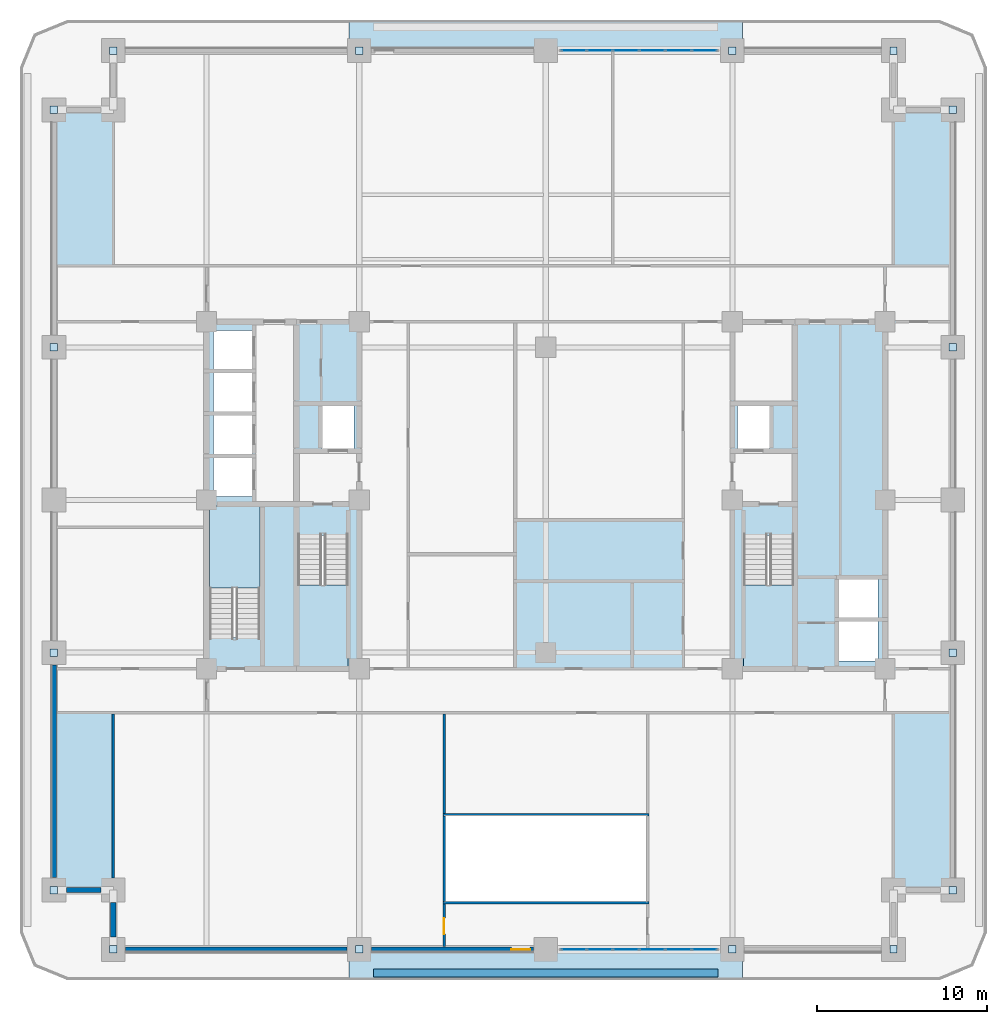
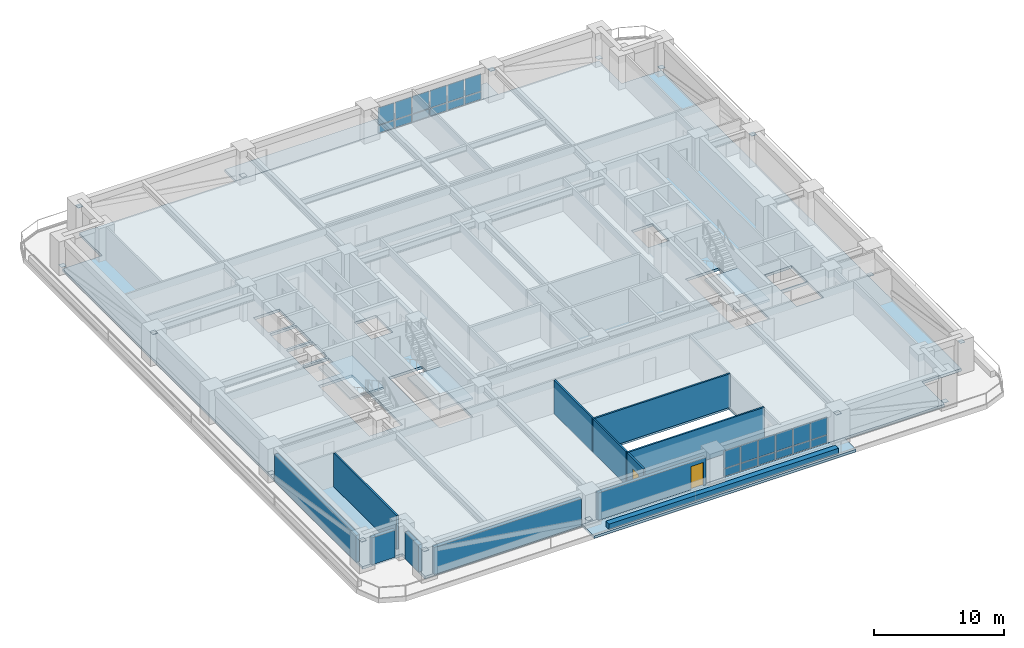
# One storey, part 6 of 18: 40 plates, 12 walls, 6 slabs, 2 doors, 2 openings, 5 elements without a shape of their own.
"""IFC4 building model written with IfcOpenShell, lengths in metres."""

import ifcopenshell
import ifcopenshell.guid

model = None  # the IFC model being written
_history = None  # IfcOwnerHistory: only IFC2X3 demands one
_inside = {}  # id of a spatial element -> (the spatial element, [elements in it])
_under = {}  # id of a project, library or spatial element -> (it, [spatial elements below it])
_declared = {}  # id of a project -> (the project, [libraries it declares])
_typed = {}  # id of a type object -> (the type object, [elements of that type])
_made_of = {}  # id of a material, layer set ... -> (it, [elements and type objects made of it])


def new_model(schema):
    """Start an empty IFC model of exactly this schema.

    Asked for "IFC4X3", IfcOpenShell would pick the latest addendum, in which some entities
    have other attributes; the version numbers below select the first issue.
    IFC2X3 requires an IfcOwnerHistory on every rooted entity: one is made here for all.
    """
    global model, _history
    if schema == "IFC4X3":
        model = ifcopenshell.file(schema_version=(4, 3, 0, 0))
    else:
        model = ifcopenshell.file(schema=schema)
    _inside.clear()
    _under.clear()
    _declared.clear()
    _typed.clear()
    _made_of.clear()
    _history = None
    if model.schema == "IFC2X3":
        org = make("IfcOrganization", Name="unknown")
        user = make(
            "IfcPersonAndOrganization",
            ThePerson=make("IfcPerson", FamilyName="unknown"),
            TheOrganization=org,
        )
        app = make(
            "IfcApplication",
            ApplicationDeveloper=org,
            Version="unknown",
            ApplicationFullName="unknown",
            ApplicationIdentifier="unknown",
        )
        _history = make(
            "IfcOwnerHistory",
            OwningUser=user,
            OwningApplication=app,
            ChangeAction="ADDED",
            CreationDate=0,
        )
    return model


def make(cls, **values):
    """One entity of the class cls with the attributes given. An attribute that is None is left unset."""
    return model.create_entity(
        cls, **{name: value for name, value in values.items() if value is not None}
    )


def rooted(cls, **values):
    """An entity with a GlobalId (a new one), such as an element, a storey or a relation."""
    return make(cls, GlobalId=ifcopenshell.guid.new(), OwnerHistory=_history, **values)


def si_unit(unit_type, name, prefix=None):
    """IfcSIUnit, for example si_unit("LENGTHUNIT", "METRE", prefix="MILLI")."""
    return make("IfcSIUnit", UnitType=unit_type, Prefix=prefix, Name=name)


def assignment(units):
    """IfcUnitAssignment: the units of a project."""
    return None if units is None else make("IfcUnitAssignment", Units=units)


def point(xyz):
    """IfcCartesianPoint."""
    return None if xyz is None else make("IfcCartesianPoint", Coordinates=xyz)


def direction(xyz):
    """IfcDirection."""
    return None if xyz is None else make("IfcDirection", DirectionRatios=xyz)


def frame(location, z_axis=None, x_axis=None):
    """IfcAxis2Placement3D, a coordinate frame: its origin and axes. An axis left out is left unset."""
    return make(
        "IfcAxis2Placement3D",
        Location=point(location),
        Axis=direction(z_axis),
        RefDirection=direction(x_axis),
    )


def frame_2d(location, x_axis=None):
    """IfcAxis2Placement2D, a coordinate frame in the plane: its origin and x axis."""
    return make(
        "IfcAxis2Placement2D", Location=point(location), RefDirection=direction(x_axis)
    )


def origin():
    """The frame at (0, 0, 0) with its axes left unset."""
    return frame((0.0, 0.0, 0.0))


def origin_2d():
    """The frame at (0, 0) in the plane with its x axis left unset."""
    return frame_2d((0.0, 0.0))


def place(relative_to, where):
    """IfcLocalPlacement: puts the frame where relative to a parent placement (None: the world)."""
    return make(
        "IfcLocalPlacement", PlacementRelTo=relative_to, RelativePlacement=where
    )


def context(
    kind, dimensions, precision=None, world=None, true_north=None, identifier=None
):
    """IfcGeometricRepresentationContext, for example the 3D "Model" context."""
    return make(
        "IfcGeometricRepresentationContext",
        ContextIdentifier=identifier,
        ContextType=kind,
        CoordinateSpaceDimension=dimensions,
        Precision=precision,
        WorldCoordinateSystem=world,
        TrueNorth=true_north,
    )


def subcontext(parent, identifier, kind, view, scale=None):
    """IfcGeometricRepresentationSubContext, for example "Body" below "Model"."""
    return make(
        "IfcGeometricRepresentationSubContext",
        ContextIdentifier=identifier,
        ContextType=kind,
        ParentContext=parent,
        TargetScale=scale,
        TargetView=view,
    )


def project(units=None, contexts=None):
    """IfcProject with its units and contexts."""
    return rooted(
        "IfcProject",
        Name="project",
        RepresentationContexts=contexts,
        UnitsInContext=assignment(units),
    )


def spatial(cls, under=None, at=None, **own):
    """A site, building, storey or space (cls), placed at a placement, below another one or the project."""
    s = rooted(cls, ObjectPlacement=at, **own)
    if under is not None:
        _under.setdefault(under.id(), (under, []))[1].append(s)
    return s


def polyline(points):
    """IfcPolyline through the points."""
    return make("IfcPolyline", Points=[point(p) for p in points])


def profile(cls, at=None, kind="AREA", **sizes):
    """A parametric profile (cls). Its sizes go by their IFC names, for example OverallWidth=200.0."""
    return make(cls, ProfileType=kind, Position=at, **sizes)


def rectangle(**sizes):
    """IfcRectangleProfileDef."""
    return profile("IfcRectangleProfileDef", **sizes)


def outline(outer, holes=None, kind="AREA"):
    """IfcArbitraryClosedProfileDef: a profile drawn as a closed curve; with holes, ...WithVoids."""
    if holes is None:
        return make("IfcArbitraryClosedProfileDef", ProfileType=kind, OuterCurve=outer)
    return make(
        "IfcArbitraryProfileDefWithVoids",
        ProfileType=kind,
        OuterCurve=outer,
        InnerCurves=holes,
    )


def extrude(swept, where, along, depth):
    """IfcExtrudedAreaSolid: the profile swept, set in the frame where, extruded along a direction by depth."""
    return make(
        "IfcExtrudedAreaSolid",
        SweptArea=swept,
        Position=where,
        ExtrudedDirection=direction(along),
        Depth=depth,
    )


def shape(context_of_items, identifier, shape_type, items):
    """IfcShapeRepresentation: the items that make up one representation, for example the "Body"."""
    return make(
        "IfcShapeRepresentation",
        ContextOfItems=context_of_items,
        RepresentationIdentifier=identifier,
        RepresentationType=shape_type,
        Items=items,
    )


def material(Name=None, Category=None):
    """IfcMaterial."""
    return make("IfcMaterial", Name=Name, Category=Category)


def layer(
    of_material, thickness, ventilated=None, Name=None, Category=None, Priority=None
):
    """IfcMaterialLayer: one layer of a wall or slab, of a material (None: an air gap)."""
    return make(
        "IfcMaterialLayer",
        Material=of_material,
        LayerThickness=thickness,
        IsVentilated=ventilated,
        Name=Name,
        Category=Category,
        Priority=Priority,
    )


def layer_set(layers, Name=None):
    """IfcMaterialLayerSet."""
    return make("IfcMaterialLayerSet", MaterialLayers=layers, LayerSetName=Name)


def made_of(thing, what):
    """Note that an element or type object is made of a material, layer set ...; save() writes the relation."""
    if what is not None:
        _made_of.setdefault(what.id(), (what, []))[1].append(thing)
    return thing


def type_object(cls, material=None, **own):
    """A type object (cls), such as IfcWallType, which elements share."""
    return made_of(rooted(cls, **own), material)


def element(
    cls,
    number,
    at=None,
    inside=None,
    cuts=None,
    type_object=None,
    material=None,
    context=None,
    identifier="Body",
    shape_type=None,
    held_by="IfcProductDefinitionShape",
    body=None,
    shapes=None,
    **own,
):
    """One element of the class cls, such as IfcWall. Its Tag is "e" and its number.

    at: its placement. inside: the storey or other place that contains it. cuts: it is an
    opening in that element (IfcRelVoidsElement). A single representation is given by context,
    identifier, shape_type and body (its items); several are given by shapes. held_by: the class
    of the entity that holds the representations. save() writes the other relations.
    """
    e = rooted(cls, Tag="e%d" % number, ObjectPlacement=at, **own)
    if body is not None:
        shapes = [shape(context, identifier, shape_type, body)]
    if shapes is not None:
        e.Representation = make(held_by, Representations=shapes)
    if inside is not None:
        _inside.setdefault(inside.id(), (inside, []))[1].append(e)
    if cuts is not None:
        rooted(
            "IfcRelVoidsElement", RelatingBuildingElement=cuts, RelatedOpeningElement=e
        )
    if type_object is not None:
        _typed.setdefault(type_object.id(), (type_object, []))[1].append(e)
    return made_of(e, material)


def fill(opening, filler):
    """IfcRelFillsElement: the door or window that sits in an opening."""
    return rooted(
        "IfcRelFillsElement",
        RelatingOpeningElement=opening,
        RelatedBuildingElement=filler,
    )


def aggregate(whole, parts):
    """IfcRelAggregates: a whole, such as a stair, and the parts it consists of."""
    return rooted("IfcRelAggregates", RelatingObject=whole, RelatedObjects=parts)


def save(model, path):
    """Write the relations noted so far, then the file.

    IfcRelAggregates (storeys below a building ...), IfcRelContainedInSpatialStructure (elements
    in a storey), IfcRelDefinesByType, IfcRelAssociatesMaterial and IfcRelDeclares: one each for
    every whole, place, type object, material and project.
    """
    for whole, parts in _under.values():
        aggregate(whole, parts)
    for where, things in _inside.values():
        rooted(
            "IfcRelContainedInSpatialStructure",
            RelatedElements=things,
            RelatingStructure=where,
        )
    for kind, things in _typed.values():
        rooted("IfcRelDefinesByType", RelatedObjects=things, RelatingType=kind)
    for what, things in _made_of.values():
        rooted("IfcRelAssociatesMaterial", RelatedObjects=things, RelatingMaterial=what)
    for by, libraries in _declared.values():
        rooted("IfcRelDeclares", RelatingContext=by, RelatedDefinitions=libraries)
    model.write(path)


model = new_model("IFC4")

# Units and contexts
model_context = context("Model", 3, precision=1e-05, world=origin(), true_north=direction((0.0, 1.0)))
body_context = subcontext(model_context, "Body", "Model", "MODEL_VIEW")
ifc_project = project(units=[si_unit("LENGTHUNIT", "METRE"), si_unit("AREAUNIT", "SQUARE_METRE"), si_unit("VOLUMEUNIT", "CUBIC_METRE"), si_unit("PLANEANGLEUNIT", "RADIAN"), si_unit("MASSUNIT", "GRAM", prefix="KILO")], contexts=[model_context])

# Site, building, storey
site_placement = place(None, origin())
site = spatial("IfcSite", under=ifc_project, at=site_placement, CompositionType="ELEMENT")
building_placement = place(site_placement, origin())
building = spatial("IfcBuilding", under=site, at=building_placement, Name="Zulmaris Gate Convention Tower", CompositionType="ELEMENT")
storey_placement = place(building_placement, frame((0.0, 0.0, 78.60986328125)))
storey = spatial("IfcBuildingStorey", under=building, at=storey_placement, Name="L19", CompositionType="ELEMENT", Elevation=78.60986328125)

# Curtain wall, plates
ifc_material_1 = material(Name="Anodised Aluminium", Category="aluminium")
curtain_wall_type = type_object("IfcCurtainWallType", Name="CW-05", PredefinedType="NOTDEFINED", material=ifc_material_1)
curtain_wall_1_placement = place(storey_placement, origin())
curtain_wall_1 = element("IfcCurtainWall", 1, at=curtain_wall_1_placement, inside=storey, type_object=curtain_wall_type, Name="CW-05 CW05-L19-S-2_0", PredefinedType="NOTDEFINED")
ifc_material_2 = material(Name="Low-E Double Glazing", Category="glass")
ifc_layer_1 = layer(ifc_material_2, 0.028076171875, Name="Low-E Double Glazing")
ifc_layer_set_1 = layer_set([ifc_layer_1], Name="Low-E Double Glazing")
plate_type_1 = type_object("IfcPlateType", Name="CW-05-VISION", PredefinedType="CURTAIN_PANEL", material=ifc_layer_set_1)
plate_1_placement = place(storey_placement, frame((1.652099609375, -26.5, 0.074951171875), z_axis=(0.0, 0.0, 1.0), x_axis=(1.0, 0.0, 0.0)))
plate_1 = element("IfcPlate", 2, at=plate_1_placement, type_object=plate_type_1, Name="CW-05 panel 1.1", PredefinedType="CURTAIN_PANEL", context=body_context, shape_type="SweptSolid", body=[
    extrude(rectangle(XDim=1.43408203125, YDim=0.028076171875, at=origin_2d()), origin(), (0.0, 0.0, 1.0), 0.6875),
])
plate_2_placement = place(storey_placement, frame((1.652099609375, -26.5, 0.837646484375), z_axis=(0.0, 0.0, 1.0), x_axis=(1.0, 0.0, 0.0)))
plate_2 = element("IfcPlate", 3, at=plate_2_placement, type_object=plate_type_1, Name="CW-05 panel 1.2", PredefinedType="CURTAIN_PANEL", context=body_context, shape_type="SweptSolid", body=[
    extrude(rectangle(XDim=1.43408203125, YDim=0.028076171875, at=origin_2d()), origin(), (0.0, 0.0, 1.0), 1.62451171875),
])
plate_3_placement = place(storey_placement, frame((3.179931640625, -26.5, 0.074951171875), z_axis=(0.0, 0.0, 1.0), x_axis=(1.0, 0.0, 0.0)))
plate_3 = element("IfcPlate", 4, at=plate_3_placement, type_object=plate_type_1, Name="CW-05 panel 2.1", PredefinedType="CURTAIN_PANEL", context=body_context, shape_type="SweptSolid", body=[
    extrude(rectangle(XDim=1.4716796875, YDim=0.028076171875, at=origin_2d()), origin(), (0.0, 0.0, 1.0), 0.6875),
])
plate_4_placement = place(storey_placement, frame((3.179931640625, -26.5, 0.837646484375), z_axis=(0.0, 0.0, 1.0), x_axis=(1.0, 0.0, 0.0)))
plate_4 = element("IfcPlate", 5, at=plate_4_placement, type_object=plate_type_1, Name="CW-05 panel 2.2", PredefinedType="CURTAIN_PANEL", context=body_context, shape_type="SweptSolid", body=[
    extrude(rectangle(XDim=1.4716796875, YDim=0.028076171875, at=origin_2d()), origin(), (0.0, 0.0, 1.0), 1.62451171875),
])
plate_5_placement = place(storey_placement, frame((4.7265625, -26.5, 0.074951171875), z_axis=(0.0, 0.0, 1.0), x_axis=(1.0, 0.0, 0.0)))
plate_5 = element("IfcPlate", 6, at=plate_5_placement, type_object=plate_type_1, Name="CW-05 panel 3.1", PredefinedType="CURTAIN_PANEL", context=body_context, shape_type="SweptSolid", body=[
    extrude(rectangle(XDim=1.4716796875, YDim=0.028076171875, at=origin_2d()), origin(), (0.0, 0.0, 1.0), 0.6875),
])
plate_6_placement = place(storey_placement, frame((4.7265625, -26.5, 0.837646484375), z_axis=(0.0, 0.0, 1.0), x_axis=(1.0, 0.0, 0.0)))
plate_6 = element("IfcPlate", 7, at=plate_6_placement, type_object=plate_type_1, Name="CW-05 panel 3.2", PredefinedType="CURTAIN_PANEL", context=body_context, shape_type="SweptSolid", body=[
    extrude(rectangle(XDim=1.4716796875, YDim=0.028076171875, at=origin_2d()), origin(), (0.0, 0.0, 1.0), 1.62451171875),
])
plate_7_placement = place(storey_placement, frame((6.2734375, -26.5, 0.074951171875), z_axis=(0.0, 0.0, 1.0), x_axis=(1.0, 0.0, 0.0)))
plate_7 = element("IfcPlate", 8, at=plate_7_placement, type_object=plate_type_1, Name="CW-05 panel 4.1", PredefinedType="CURTAIN_PANEL", context=body_context, shape_type="SweptSolid", body=[
    extrude(rectangle(XDim=1.4716796875, YDim=0.028076171875, at=origin_2d()), origin(), (0.0, 0.0, 1.0), 0.6875),
])
plate_8_placement = place(storey_placement, frame((6.2734375, -26.5, 0.837646484375), z_axis=(0.0, 0.0, 1.0), x_axis=(1.0, 0.0, 0.0)))
plate_8 = element("IfcPlate", 9, at=plate_8_placement, type_object=plate_type_1, Name="CW-05 panel 4.2", PredefinedType="CURTAIN_PANEL", context=body_context, shape_type="SweptSolid", body=[
    extrude(rectangle(XDim=1.4716796875, YDim=0.028076171875, at=origin_2d()), origin(), (0.0, 0.0, 1.0), 1.62451171875),
])
plate_9_placement = place(storey_placement, frame((7.820068359375, -26.5, 0.074951171875), z_axis=(0.0, 0.0, 1.0), x_axis=(1.0, 0.0, 0.0)))
plate_9 = element("IfcPlate", 10, at=plate_9_placement, type_object=plate_type_1, Name="CW-05 panel 5.1", PredefinedType="CURTAIN_PANEL", context=body_context, shape_type="SweptSolid", body=[
    extrude(rectangle(XDim=1.4716796875, YDim=0.028076171875, at=origin_2d()), origin(), (0.0, 0.0, 1.0), 0.6875),
])
plate_10_placement = place(storey_placement, frame((7.820068359375, -26.5, 0.837646484375), z_axis=(0.0, 0.0, 1.0), x_axis=(1.0, 0.0, 0.0)))
plate_10 = element("IfcPlate", 11, at=plate_10_placement, type_object=plate_type_1, Name="CW-05 panel 5.2", PredefinedType="CURTAIN_PANEL", context=body_context, shape_type="SweptSolid", body=[
    extrude(rectangle(XDim=1.4716796875, YDim=0.028076171875, at=origin_2d()), origin(), (0.0, 0.0, 1.0), 1.62451171875),
])
plate_11_placement = place(storey_placement, frame((9.347900390625, -26.5, 0.074951171875), z_axis=(0.0, 0.0, 1.0), x_axis=(1.0, 0.0, 0.0)))
plate_11 = element("IfcPlate", 12, at=plate_11_placement, type_object=plate_type_1, Name="CW-05 panel 6.1", PredefinedType="CURTAIN_PANEL", context=body_context, shape_type="SweptSolid", body=[
    extrude(rectangle(XDim=1.43408203125, YDim=0.028076171875, at=origin_2d()), origin(), (0.0, 0.0, 1.0), 0.6875),
])
plate_12_placement = place(storey_placement, frame((9.347900390625, -26.5, 0.837646484375), z_axis=(0.0, 0.0, 1.0), x_axis=(1.0, 0.0, 0.0)))
plate_12 = element("IfcPlate", 13, at=plate_12_placement, type_object=plate_type_1, Name="CW-05 panel 6.2", PredefinedType="CURTAIN_PANEL", context=body_context, shape_type="SweptSolid", body=[
    extrude(rectangle(XDim=1.43408203125, YDim=0.028076171875, at=origin_2d()), origin(), (0.0, 0.0, 1.0), 1.62451171875),
])
aggregate(curtain_wall_1, [plate_1, plate_2, plate_3, plate_4, plate_5, plate_6, plate_7, plate_8, plate_9, plate_10, plate_11, plate_12])

curtain_wall_2_placement = place(storey_placement, origin())
curtain_wall_2 = element("IfcCurtainWall", 14, at=curtain_wall_2_placement, inside=storey, type_object=curtain_wall_type, Name="CW-05 CW05-L19-N-2_0", PredefinedType="NOTDEFINED")
plate_13_placement = place(storey_placement, frame((9.347900390625, 26.5, 0.074951171875), z_axis=(0.0, 0.0, 1.0), x_axis=(-1.0, 0.0, 0.0)))
plate_13 = element("IfcPlate", 15, at=plate_13_placement, type_object=plate_type_1, Name="CW-05 panel 1.1", PredefinedType="CURTAIN_PANEL", context=body_context, shape_type="SweptSolid", body=[
    extrude(rectangle(XDim=1.43408203125, YDim=0.028076171875, at=origin_2d()), origin(), (0.0, 0.0, 1.0), 0.6875),
])
plate_14_placement = place(storey_placement, frame((9.347900390625, 26.5, 0.837646484375), z_axis=(0.0, 0.0, 1.0), x_axis=(-1.0, 0.0, 0.0)))
plate_14 = element("IfcPlate", 16, at=plate_14_placement, type_object=plate_type_1, Name="CW-05 panel 1.2", PredefinedType="CURTAIN_PANEL", context=body_context, shape_type="SweptSolid", body=[
    extrude(rectangle(XDim=1.43408203125, YDim=0.028076171875, at=origin_2d()), origin(), (0.0, 0.0, 1.0), 1.62451171875),
])
plate_15_placement = place(storey_placement, frame((7.820068359375, 26.5, 0.074951171875), z_axis=(0.0, 0.0, 1.0), x_axis=(-1.0, 0.0, 0.0)))
plate_15 = element("IfcPlate", 17, at=plate_15_placement, type_object=plate_type_1, Name="CW-05 panel 2.1", PredefinedType="CURTAIN_PANEL", context=body_context, shape_type="SweptSolid", body=[
    extrude(rectangle(XDim=1.4716796875, YDim=0.028076171875, at=origin_2d()), origin(), (0.0, 0.0, 1.0), 0.6875),
])
plate_16_placement = place(storey_placement, frame((7.820068359375, 26.5, 0.837646484375), z_axis=(0.0, 0.0, 1.0), x_axis=(-1.0, 0.0, 0.0)))
plate_16 = element("IfcPlate", 18, at=plate_16_placement, type_object=plate_type_1, Name="CW-05 panel 2.2", PredefinedType="CURTAIN_PANEL", context=body_context, shape_type="SweptSolid", body=[
    extrude(rectangle(XDim=1.4716796875, YDim=0.028076171875, at=origin_2d()), origin(), (0.0, 0.0, 1.0), 1.62451171875),
])
plate_17_placement = place(storey_placement, frame((6.2734375, 26.5, 0.074951171875), z_axis=(0.0, 0.0, 1.0), x_axis=(-1.0, 0.0, 0.0)))
plate_17 = element("IfcPlate", 19, at=plate_17_placement, type_object=plate_type_1, Name="CW-05 panel 3.1", PredefinedType="CURTAIN_PANEL", context=body_context, shape_type="SweptSolid", body=[
    extrude(rectangle(XDim=1.4716796875, YDim=0.028076171875, at=origin_2d()), origin(), (0.0, 0.0, 1.0), 0.6875),
])
plate_18_placement = place(storey_placement, frame((6.2734375, 26.5, 0.837646484375), z_axis=(0.0, 0.0, 1.0), x_axis=(-1.0, 0.0, 0.0)))
plate_18 = element("IfcPlate", 20, at=plate_18_placement, type_object=plate_type_1, Name="CW-05 panel 3.2", PredefinedType="CURTAIN_PANEL", context=body_context, shape_type="SweptSolid", body=[
    extrude(rectangle(XDim=1.4716796875, YDim=0.028076171875, at=origin_2d()), origin(), (0.0, 0.0, 1.0), 1.62451171875),
])
plate_19_placement = place(storey_placement, frame((4.7265625, 26.5, 0.074951171875), z_axis=(0.0, 0.0, 1.0), x_axis=(-1.0, 0.0, 0.0)))
plate_19 = element("IfcPlate", 21, at=plate_19_placement, type_object=plate_type_1, Name="CW-05 panel 4.1", PredefinedType="CURTAIN_PANEL", context=body_context, shape_type="SweptSolid", body=[
    extrude(rectangle(XDim=1.4716796875, YDim=0.028076171875, at=origin_2d()), origin(), (0.0, 0.0, 1.0), 0.6875),
])
plate_20_placement = place(storey_placement, frame((4.7265625, 26.5, 0.837646484375), z_axis=(0.0, 0.0, 1.0), x_axis=(-1.0, 0.0, 0.0)))
plate_20 = element("IfcPlate", 22, at=plate_20_placement, type_object=plate_type_1, Name="CW-05 panel 4.2", PredefinedType="CURTAIN_PANEL", context=body_context, shape_type="SweptSolid", body=[
    extrude(rectangle(XDim=1.4716796875, YDim=0.028076171875, at=origin_2d()), origin(), (0.0, 0.0, 1.0), 1.62451171875),
])
plate_21_placement = place(storey_placement, frame((3.179931640625, 26.5, 0.074951171875), z_axis=(0.0, 0.0, 1.0), x_axis=(-1.0, 0.0, 0.0)))
plate_21 = element("IfcPlate", 23, at=plate_21_placement, type_object=plate_type_1, Name="CW-05 panel 5.1", PredefinedType="CURTAIN_PANEL", context=body_context, shape_type="SweptSolid", body=[
    extrude(rectangle(XDim=1.4716796875, YDim=0.028076171875, at=origin_2d()), origin(), (0.0, 0.0, 1.0), 0.6875),
])
plate_22_placement = place(storey_placement, frame((3.179931640625, 26.5, 0.837646484375), z_axis=(0.0, 0.0, 1.0), x_axis=(-1.0, 0.0, 0.0)))
plate_22 = element("IfcPlate", 24, at=plate_22_placement, type_object=plate_type_1, Name="CW-05 panel 5.2", PredefinedType="CURTAIN_PANEL", context=body_context, shape_type="SweptSolid", body=[
    extrude(rectangle(XDim=1.4716796875, YDim=0.028076171875, at=origin_2d()), origin(), (0.0, 0.0, 1.0), 1.62451171875),
])
plate_23_placement = place(storey_placement, frame((1.652099609375, 26.5, 0.074951171875), z_axis=(0.0, 0.0, 1.0), x_axis=(-1.0, 0.0, 0.0)))
plate_23 = element("IfcPlate", 25, at=plate_23_placement, type_object=plate_type_1, Name="CW-05 panel 6.1", PredefinedType="CURTAIN_PANEL", context=body_context, shape_type="SweptSolid", body=[
    extrude(rectangle(XDim=1.43408203125, YDim=0.028076171875, at=origin_2d()), origin(), (0.0, 0.0, 1.0), 0.6875),
])
plate_24_placement = place(storey_placement, frame((1.652099609375, 26.5, 0.837646484375), z_axis=(0.0, 0.0, 1.0), x_axis=(-1.0, 0.0, 0.0)))
plate_24 = element("IfcPlate", 26, at=plate_24_placement, type_object=plate_type_1, Name="CW-05 panel 6.2", PredefinedType="CURTAIN_PANEL", context=body_context, shape_type="SweptSolid", body=[
    extrude(rectangle(XDim=1.43408203125, YDim=0.028076171875, at=origin_2d()), origin(), (0.0, 0.0, 1.0), 1.62451171875),
])
aggregate(curtain_wall_2, [plate_13, plate_14, plate_15, plate_16, plate_17, plate_18, plate_19, plate_20, plate_21, plate_22, plate_23, plate_24])

# Plates
ifc_material_3 = material(Name="Steel S460", Category="steel")
ifc_layer_2 = layer(ifc_material_3, 0.02490234375, Name="Steel S460")
ifc_layer_set_2 = layer_set([ifc_layer_2], Name="Steel S460")
plate_type_2 = type_object("IfcPlateType", Name="NP-CAP-440", PredefinedType="USERDEFINED", material=ifc_layer_set_2)
for number, where, z_axis, x_axis, name in (
    (27, (-29.0, -9.0, 0.28759765625), (0.0, 0.0, 1.0), (1.0, 0.0, 0.0), "L19 Steel Node Plate PBR-L19-SW-W-CAP"),
    (28, (-29.0, -23.0, 2.5126953125), (0.0, 0.0, 1.0), (1.0, 0.0, 0.0), "L19 Steel Node Plate PBR-L19-SW-W-CAPB"),
    (29, (-29.0, 23.0, 0.28759765625), (0.0, 0.0, 1.0), (1.0, 0.0, 0.0), "L19 Steel Node Plate PBR-L19-NW-W-CAP"),
    (30, (-29.0, 9.0, 2.5126953125), (0.0, 0.0, 1.0), (1.0, 0.0, 0.0), "L19 Steel Node Plate PBR-L19-NW-W-CAPB"),
    (31, (24.0, -9.0, 0.28759765625), (0.0, 0.0, 1.0), (1.0, 0.0, 0.0), "L19 Steel Node Plate PBR-L19-SE-E-CAP"),
    (32, (24.0, -23.0, 2.5126953125), (0.0, 0.0, 1.0), (1.0, 0.0, 0.0), "L19 Steel Node Plate PBR-L19-SE-E-CAPB"),
    (33, (24.0, 23.0, 0.28759765625), (0.0, 0.0, 1.0), (1.0, 0.0, 0.0), "L19 Steel Node Plate PBR-L19-NE-E-CAP"),
    (34, (24.0, 9.0, 2.5126953125), (0.0, 0.0, 1.0), (1.0, 0.0, 0.0), "L19 Steel Node Plate PBR-L19-NE-E-CAPB"),
    (35, (-11.0, -26.5, 0.28759765625), (0.0, 0.0, 1.0), (1.0, 0.0, 0.0), "L19 Steel Node Plate PBR-L19-SW-S-CAP"),
    (36, (-25.5, -26.5, 2.5126953125), (0.0, 0.0, 1.0), (1.0, 0.0, 0.0), "L19 Steel Node Plate PBR-L19-SW-S-CAPB"),
    (37, (20.5, -26.5, 0.28759765625), (0.0, 0.0, 1.0), (1.0, 0.0, 0.0), "L19 Steel Node Plate PBR-L19-SE-S-CAP"),
    (38, (11.0, -26.5, 2.5126953125), (0.0, 0.0, 1.0), (1.0, 0.0, 0.0), "L19 Steel Node Plate PBR-L19-SE-S-CAPB"),
    (39, (-11.0, 26.5, 0.28759765625), (0.0, 0.0, 1.0), (1.0, 0.0, 0.0), "L19 Steel Node Plate PBR-L19-NW-N-CAP"),
    (40, (-25.5, 26.5, 2.5126953125), (0.0, 0.0, 1.0), (1.0, 0.0, 0.0), "L19 Steel Node Plate PBR-L19-NW-N-CAPB"),
    (41, (20.5, 26.5, 0.28759765625), (0.0, 0.0, 1.0), (1.0, 0.0, 0.0), "L19 Steel Node Plate PBR-L19-NE-N-CAP"),
    (42, (11.0, 26.5, 2.5126953125), (0.0, 0.0, 1.0), (1.0, 0.0, 0.0), "L19 Steel Node Plate PBR-L19-NE-N-CAPB"),
):
    element("IfcPlate", number, at=place(storey_placement, frame(where, z_axis=z_axis, x_axis=x_axis)), inside=storey, type_object=plate_type_2, Name=name, ObjectType="FLANGE PLATE", PredefinedType="USERDEFINED", context=body_context, shape_type="SweptSolid", body=[
        extrude(rectangle(XDim=0.43994140625, YDim=0.43994140625, at=origin_2d()), origin(), (0.0, 0.0, 1.0), 0.02490234375),
    ])

# Slabs
ifc_material_4 = material(Name="Precast concrete C50/60", Category="concrete")
ifc_layer_3 = layer(ifc_material_4, 0.239990234375, Name="Precast concrete C50/60")
ifc_layer_set_3 = layer_set([ifc_layer_3], Name="Precast concrete C50/60")
slab_type_1 = type_object("IfcSlabType", Name="SL-BAL-240", PredefinedType="FLOOR", material=ifc_layer_set_3)
slab_1_placement = place(storey_placement, frame((0.0, 0.0, -0.25)))
element("IfcSlab", 43, at=slab_1_placement, inside=storey, type_object=slab_type_1, Name="L19 South Tree-Balcony Planter Slab", PredefinedType="FLOOR", context=body_context, shape_type="SweptSolid", body=[
    extrude(outline(polyline([(-11.597900390625, -28.300048828125), (-11.597900390625, -26.5), (11.597900390625, -26.5), (11.597900390625, -28.300048828125), (-11.597900390625, -28.300048828125)])), origin(), (0.0, 0.0, 1.0), 0.239990234375),
])
slab_2_placement = place(storey_placement, frame((0.0, 0.0, -0.25)))
element("IfcSlab", 44, at=slab_2_placement, inside=storey, type_object=slab_type_1, Name="L19 North Tree-Balcony Planter Slab", PredefinedType="FLOOR", context=body_context, shape_type="SweptSolid", body=[
    extrude(outline(polyline([(11.597900390625, 28.300048828125), (11.597900390625, 26.5), (-11.597900390625, 26.5), (-11.597900390625, 28.300048828125), (11.597900390625, 28.300048828125)])), origin(), (0.0, 0.0, 1.0), 0.239990234375),
])
ifc_material_5 = material(Name="Concrete C50/60", Category="concrete")
ifc_layer_4 = layer(ifc_material_5, 0.25, Name="Concrete C50/60")
ifc_layer_set_4 = layer_set([ifc_layer_4], Name="Concrete C50/60")
slab_type_2 = type_object("IfcSlabType", Name="SL-FLR-250", PredefinedType="FLOOR", material=ifc_layer_set_4)
slab_3_placement = place(storey_placement, frame((0.0, 0.0, -0.25)))
element("IfcSlab", 45, at=slab_3_placement, inside=storey, type_object=slab_type_2, Name="L19 Shifted Notched-Square Structural Floor Slab", PredefinedType="FLOOR", context=body_context, shape_type="SweptSolid", body=[
    extrude(outline(polyline([(-25.5, -26.5), (20.5, -26.5), (20.5, -23.0), (24.0, -23.0), (24.0, 23.0), (20.5, 23.0), (20.5, 26.5), (-25.5, 26.5), (-25.5, 23.0), (-29.0, 23.0), (-29.0, -23.0), (-25.5, -23.0), (-25.5, -26.5)]), holes=[polyline([(-14.6201171875, -2.080078125), (-14.6201171875, -9.85009765625), (-11.659912109375, -9.85009765625), (-11.659912109375, -2.080078125), (-14.6201171875, -2.080078125)]), polyline([(11.659912109375, -2.080078125), (11.659912109375, -9.85009765625), (14.6201171875, -9.85009765625), (14.6201171875, -2.080078125), (11.659912109375, -2.080078125)]), polyline([(-16.860107421875, -8.1201171875), (-16.860107421875, -0.35009765625), (-19.820068359375, -0.35009765625), (-19.820068359375, -8.1201171875), (-16.860107421875, -8.1201171875)]), polyline([(-13.199951171875, 3.0), (-11.300048828125, 3.0), (-11.300048828125, 5.60009765625), (-13.199951171875, 5.60009765625), (-13.199951171875, 3.0)]), polyline([(11.300048828125, 3.0), (13.199951171875, 3.0), (13.199951171875, 5.60009765625), (11.300048828125, 5.60009765625), (11.300048828125, 3.0)]), polyline([(-19.60009765625, 0.199951171875), (-17.300048828125, 0.199951171875), (-17.300048828125, 2.5), (-19.60009765625, 2.5), (-19.60009765625, 0.199951171875)]), polyline([(-19.60009765625, 2.699951171875), (-17.300048828125, 2.699951171875), (-17.300048828125, 5.0), (-19.60009765625, 5.0), (-19.60009765625, 2.699951171875)]), polyline([(-19.60009765625, 5.199951171875), (-17.300048828125, 5.199951171875), (-17.300048828125, 7.5), (-19.60009765625, 7.5), (-19.60009765625, 5.199951171875)]), polyline([(-19.60009765625, 7.699951171875), (-17.300048828125, 7.699951171875), (-17.300048828125, 10.0), (-19.60009765625, 10.0), (-19.60009765625, 7.699951171875)]), polyline([(17.199951171875, -9.5), (19.60009765625, -9.5), (19.60009765625, -7.10009765625), (17.199951171875, -7.10009765625), (17.199951171875, -9.5)]), polyline([(17.199951171875, -7.0), (19.60009765625, -7.0), (19.60009765625, -4.60009765625), (17.199951171875, -4.60009765625), (17.199951171875, -7.0)]), polyline([(-6.0, -23.75), (6.0, -23.75), (6.0, -18.550048828125), (-6.0, -18.550048828125), (-6.0, -23.75)])]), origin(), (0.0, 0.0, 1.0), 0.25),
])

# Stair, slab
ifc_material_6 = material(Name="Concrete C45/55", Category="concrete")
stair_type = type_object("IfcStairType", Name="ST-CORE-DOGLEG", PredefinedType="HALF_TURN_STAIR", material=ifc_material_6)
stair_1_placement = place(storey_placement, origin())
stair_1 = element("IfcStair", 46, at=stair_1_placement, inside=storey, type_object=stair_type, Name="L19 Core Exit Stair ST-1", PredefinedType="HALF_TURN_STAIR")
ifc_layer_5 = layer(ifc_material_6, 0.199951171875, Name="Concrete C45/55")
ifc_layer_set_5 = layer_set([ifc_layer_5], Name="Concrete C45/55")
slab_type_3 = type_object("IfcSlabType", Name="SL-LND-200", PredefinedType="LANDING", material=ifc_layer_set_5)
slab_4_placement = place(storey_placement, frame((0.0, 0.0, 1.5849609375)))
slab_4 = element("IfcSlab", 47, at=slab_4_placement, type_object=slab_type_3, Name="ST-1 landing 1", PredefinedType="LANDING", context=body_context, shape_type="SweptSolid", body=[
    extrude(outline(polyline([(-14.6201171875, -5.0), (-14.6201171875, -9.85009765625), (-11.659912109375, -9.85009765625), (-11.659912109375, -5.0), (-14.6201171875, -5.0)])), origin(), (0.0, 0.0, 1.0), 0.2001953125),
])
aggregate(stair_1, [slab_4])

stair_2_placement = place(storey_placement, origin())
stair_2 = element("IfcStair", 48, at=stair_2_placement, inside=storey, type_object=stair_type, Name="L19 Core Exit Stair ST-2", PredefinedType="HALF_TURN_STAIR")
slab_5_placement = place(storey_placement, frame((0.0, 0.0, 1.5849609375)))
slab_5 = element("IfcSlab", 49, at=slab_5_placement, type_object=slab_type_3, Name="ST-2 landing 1", PredefinedType="LANDING", context=body_context, shape_type="SweptSolid", body=[
    extrude(outline(polyline([(11.659912109375, -5.0), (11.659912109375, -9.85009765625), (14.6201171875, -9.85009765625), (14.6201171875, -5.0), (11.659912109375, -5.0)])), origin(), (0.0, 0.0, 1.0), 0.2001953125),
])
aggregate(stair_2, [slab_5])

stair_3_placement = place(storey_placement, origin())
stair_3 = element("IfcStair", 50, at=stair_3_placement, inside=storey, type_object=stair_type, Name="L19 Core Exit Stair ST-3", PredefinedType="HALF_TURN_STAIR")
slab_6_placement = place(storey_placement, frame((0.0, 0.0, 1.5849609375)))
slab_6 = element("IfcSlab", 51, at=slab_6_placement, type_object=slab_type_3, Name="ST-3 landing 1", PredefinedType="LANDING", context=body_context, shape_type="SweptSolid", body=[
    extrude(outline(polyline([(-16.860107421875, -5.199951171875), (-16.860107421875, -0.35009765625), (-19.820068359375, -0.35009765625), (-19.820068359375, -5.199951171875), (-16.860107421875, -5.199951171875)])), origin(), (0.0, 0.0, 1.0), 0.2001953125),
])
aggregate(stair_3, [slab_6])

# Walls
ifc_material_7 = material(Name="Gypsum Metal Stud Partition")
ifc_layer_6 = layer(ifc_material_7, 0.14990234375, Name="Gypsum Metal Stud Partition")
ifc_layer_set_6 = layer_set([ifc_layer_6], Name="Gypsum Metal Stud Partition")
wall_type_1 = type_object("IfcWallType", Name="PART-150", PredefinedType="PARTITIONING", material=ifc_layer_set_6)
for number, where, z_axis, x_axis, name in (
    (52, (-6.074951171875, -23.75, 0.0), (0.0, 0.0, 1.0), (1.0, 0.0, 0.0), "WL-L19-020"),
    (53, (-6.074951171875, -18.550048828125, 0.0), (0.0, 0.0, 1.0), (1.0, 0.0, 0.0), "WL-L19-021"),
):
    element("IfcWall", number, at=place(storey_placement, frame(where, z_axis=z_axis, x_axis=x_axis)), inside=storey, type_object=wall_type_1, Name=name, PredefinedType="PARTITIONING", context=body_context, shape_type="SweptSolid", body=[
        extrude(rectangle(XDim=12.14990234375, YDim=0.14990234375, at=frame_2d((6.074951171875, 0.0))), origin(), (0.0, 0.0, 1.0), 3.14501953125),
    ])
wall_1_placement = place(storey_placement, frame((-25.5, -22.2939453125, 0.0), z_axis=(0.0, 0.0, 1.0), x_axis=(0.0, 1.0, 0.0)))
element("IfcWall", 54, at=wall_1_placement, inside=storey, type_object=wall_type_1, Name="WL-L19-071", PredefinedType="PARTITIONING", context=body_context, shape_type="SweptSolid", body=[
    extrude(rectangle(XDim=9.666015625, YDim=0.14990234375, at=frame_2d((4.8330078125, 0.0))), origin(), (0.0, 0.0, 1.0), 3.14501953125),
])

# Wall, opening, door
wall_2_placement = place(storey_placement, frame((-6.0, -26.3349609375, 0.0), z_axis=(0.0, 0.0, 1.0), x_axis=(0.0, 1.0, 0.0)))
wall_2 = element("IfcWall", 55, at=wall_2_placement, inside=storey, type_object=wall_type_1, Name="WL-L19-078", PredefinedType="PARTITIONING", context=body_context, shape_type="SweptSolid", body=[
    extrude(rectangle(XDim=2.507080078125, YDim=0.14990234375, at=frame_2d((1.25341796875, 0.0))), origin(), (0.0, 0.0, 1.0), 3.14501953125),
])
opening_1_placement = place(wall_2_placement, frame((0.739990234375, 0.0, 0.0)))
opening_1 = element("IfcOpeningElement", 56, at=opening_1_placement, cuts=wall_2, Name="Opening D-16", PredefinedType="OPENING", context=body_context, shape_type="SweptSolid", body=[
    extrude(rectangle(XDim=0.949951171875, YDim=2.14990234375, at=frame_2d((0.47509765625, 1.074951171875))), frame((0.0, 0.0849609375, 0.0), z_axis=(0.0, -1.0, 0.0), x_axis=(1.0, 0.0, 0.0)), (0.0, 0.0, 1.0), 0.169921875),
])
ifc_material_8 = material(Name="Veneered Hardwood Timber", Category="wood")
door_type_1 = type_object("IfcDoorType", Name="DR-950", OperationType="NOTDEFINED", PredefinedType="DOOR", material=ifc_material_8)
door_1_placement = place(opening_1_placement, origin())
door_1 = element("IfcDoor", 57, at=door_1_placement, inside=storey, type_object=door_type_1, Name="L19 Terrace Loggia West Door 26", OperationType="SINGLE_SWING_LEFT", OverallHeight=2.14990234375, OverallWidth=0.949951171875, PredefinedType="DOOR", context=body_context, shape_type="SweptSolid", body=[
    extrude(rectangle(XDim=0.949951171875, YDim=2.14990234375, at=frame_2d((0.47509765625, 1.074951171875))), frame((0.0, 0.02490234375, 0.0), z_axis=(0.0, -1.0, 0.0), x_axis=(1.0, 0.0, 0.0)), (0.0, 0.0, 1.0), 0.050048828125),
])
fill(opening_1, door_1)

# Walls
wall_3_placement = place(storey_placement, frame((-6.0, -23.672119140625, 0.0), z_axis=(0.0, 0.0, 1.0), x_axis=(0.0, 1.0, 0.0)))
element("IfcWall", 58, at=wall_3_placement, inside=storey, type_object=wall_type_1, Name="WL-L19-079", PredefinedType="PARTITIONING", context=body_context, shape_type="SweptSolid", body=[
    extrude(rectangle(XDim=5.044189453125, YDim=0.14990234375, at=frame_2d((2.52197265625, 0.0))), origin(), (0.0, 0.0, 1.0), 3.14501953125),
])
wall_4_placement = place(storey_placement, frame((-6.0, -18.471923828125, 0.0), z_axis=(0.0, 0.0, 1.0), x_axis=(0.0, 1.0, 0.0)))
element("IfcWall", 59, at=wall_4_placement, inside=storey, type_object=wall_type_1, Name="WL-L19-080", PredefinedType="PARTITIONING", context=body_context, shape_type="SweptSolid", body=[
    extrude(rectangle(XDim=5.843994140625, YDim=0.14990234375, at=frame_2d((2.921875, 0.0))), origin(), (0.0, 0.0, 1.0), 3.14501953125),
])
ifc_material_9 = material(Name="Botanical Green Glazed Precast Concrete C40/50", Category="concrete")
ifc_layer_7 = layer(ifc_material_9, 0.419921875, Name="Botanical Green Glazed Precast Concrete C40/50")
ifc_layer_set_7 = layer_set([ifc_layer_7], Name="Botanical Green Glazed Precast Concrete C40/50")
wall_type_2 = type_object("IfcWallType", Name="PLANTER-CURB-200", PredefinedType="PARAPET", material=ifc_layer_set_7)
wall_5_placement = place(storey_placement, frame((-10.14990234375, -27.8798828125, -0.0400390625), z_axis=(0.0, 0.0, 1.0), x_axis=(1.0, 0.0, 0.0)))
element("IfcWall", 60, at=wall_5_placement, inside=storey, type_object=wall_type_2, Name="L19 Full-Length Balcony Tree Planter Trough", PredefinedType="PARAPET", context=body_context, shape_type="SweptSolid", body=[
    extrude(rectangle(XDim=20.2998046875, YDim=0.47998046875, at=frame_2d((10.14990234375, 0.0))), origin(), (0.0, 0.0, 1.0), 0.52001953125),
])
ifc_material_10 = material(Name="Precast concrete C40/50", Category="concrete")
ifc_layer_8 = layer(ifc_material_10, 0.300048828125, Name="Precast concrete C40/50")
ifc_layer_set_8 = layer_set([ifc_layer_8], Name="Precast concrete C40/50")
wall_type_3 = type_object("IfcWallType", Name="PRECAST-PIER-300", PredefinedType="STANDARD", material=ifc_layer_set_8)
for number, where, z_axis, x_axis, name in (
    (61, (-28.27001953125, -23.0, 0.0), (0.0, 0.0, 1.0), (1.0, 0.0, 0.0), "EW-L19-NOTCH-SW1_0"),
    (62, (-25.5, -23.72998046875, 0.0), (0.0, 0.0, 1.0), (0.0, -1.0, 0.0), "EW-L19-NOTCH-SW2_0"),
):
    element("IfcWall", number, at=place(storey_placement, frame(where, z_axis=z_axis, x_axis=x_axis)), inside=storey, type_object=wall_type_3, Name=name, PredefinedType="STANDARD", context=body_context, shape_type="SweptSolid", body=[
        extrude(rectangle(XDim=2.0400390625, YDim=0.300048828125, at=frame_2d((1.02001953125, 0.0))), origin(), (0.0, 0.0, 1.0), 2.537109375),
    ])
wall_6_placement = place(storey_placement, frame((-24.77001953125, -26.5, 0.0), z_axis=(0.0, 0.0, 1.0), x_axis=(1.0, 0.0, 0.0)))
element("IfcWall", 63, at=wall_6_placement, inside=storey, type_object=wall_type_3, Name="EW-L19-S-0_0", PredefinedType="STANDARD", context=body_context, shape_type="SweptSolid", body=[
    extrude(rectangle(XDim=13.0400390625, YDim=0.300048828125, at=frame_2d((6.52001953125, 0.0))), origin(), (0.0, 0.0, 1.0), 2.537109375),
])

# Wall, opening, door
wall_7_placement = place(storey_placement, frame((-10.27001953125, -26.5, 0.0), z_axis=(0.0, 0.0, 1.0), x_axis=(1.0, 0.0, 0.0)))
wall_7 = element("IfcWall", 64, at=wall_7_placement, inside=storey, type_object=wall_type_3, Name="EW-L19-S-1_0", PredefinedType="STANDARD", context=body_context, shape_type="SweptSolid", body=[
    extrude(rectangle(XDim=9.5400390625, YDim=0.300048828125, at=frame_2d((4.77001953125, 0.0))), origin(), (0.0, 0.0, 1.0), 2.537109375),
])
opening_2_placement = place(wall_7_placement, frame((8.239990234375, 0.0, 0.0)))
opening_2 = element("IfcOpeningElement", 65, at=opening_2_placement, cuts=wall_7, Name="Opening D-04", PredefinedType="OPENING", context=body_context, shape_type="SweptSolid", body=[
    extrude(rectangle(XDim=1.10009765625, YDim=2.14990234375, at=frame_2d((0.550048828125, 1.074951171875))), frame((0.0, 0.16015625, 0.0), z_axis=(0.0, -1.0, 0.0), x_axis=(1.0, 0.0, 0.0)), (0.0, 0.0, 1.0), 0.320068359375),
])
ifc_material_11 = material(Name="Anodised Aluminium and Laminated Glass", Category="aluminium")
door_type_2 = type_object("IfcDoorType", Name="ED-1100", OperationType="SINGLE_SWING_RIGHT", PredefinedType="DOOR", material=ifc_material_11)
door_2_placement = place(opening_2_placement, origin())
door_2 = element("IfcDoor", 66, at=door_2_placement, inside=storey, type_object=door_type_2, Name="L19 S Planted Terrace Door", OperationType="SINGLE_SWING_RIGHT", OverallHeight=2.14990234375, OverallWidth=1.10009765625, PredefinedType="DOOR", context=body_context, shape_type="SweptSolid", body=[
    extrude(rectangle(XDim=1.10009765625, YDim=2.14990234375, at=frame_2d((0.550048828125, 1.074951171875))), frame((0.0, 0.02490234375, 0.0), z_axis=(0.0, -1.0, 0.0), x_axis=(1.0, 0.0, 0.0)), (0.0, 0.0, 1.0), 0.050048828125),
])
fill(opening_2, door_2)

# Wall
wall_8_placement = place(storey_placement, frame((-29.0, -9.72998046875, 0.0), z_axis=(0.0, 0.0, 1.0), x_axis=(0.0, -1.0, 0.0)))
element("IfcWall", 67, at=wall_8_placement, inside=storey, type_object=wall_type_3, Name="EW-L19-W-0_0", PredefinedType="STANDARD", context=body_context, shape_type="SweptSolid", body=[
    extrude(rectangle(XDim=12.5400390625, YDim=0.300048828125, at=frame_2d((6.27001953125, 0.0))), origin(), (0.0, 0.0, 1.0), 2.537109375),
])

save(model, "model.ifc")
